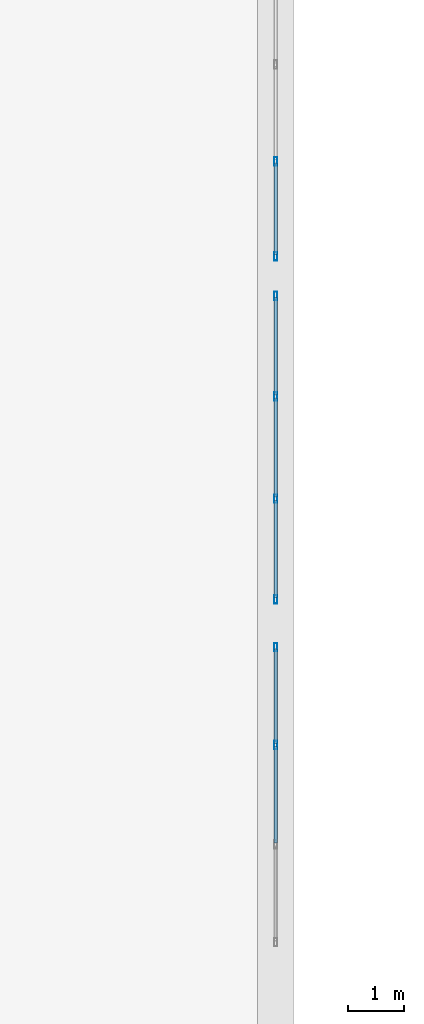
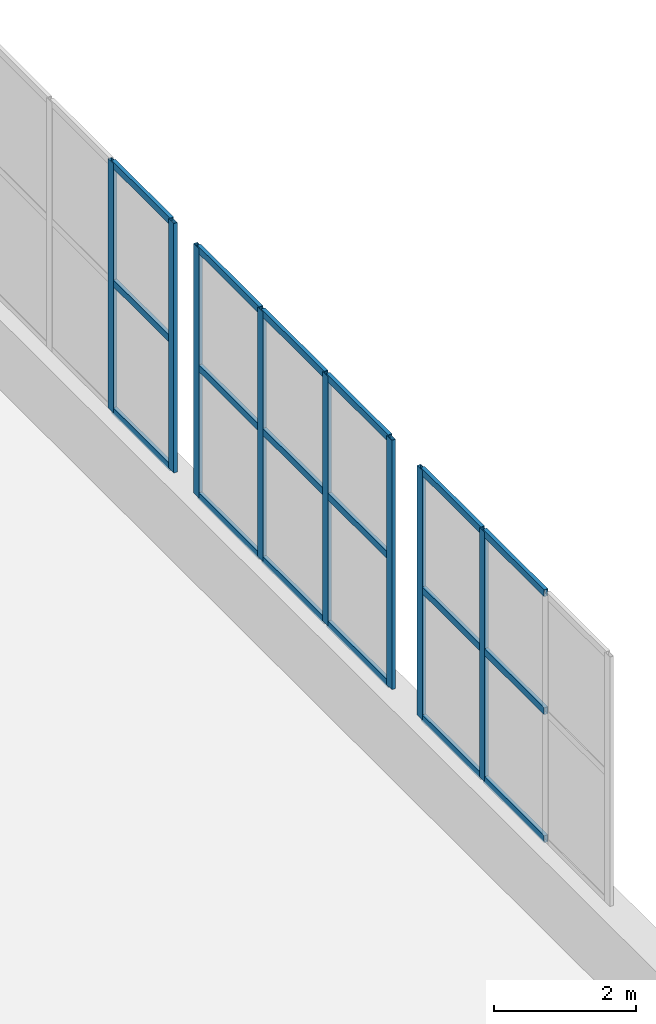
# One storey, part 90 of 139: 26 members, 3 elements without a shape of their own.
"""IFC4 building model written with IfcOpenShell, lengths in metres."""

from ifc_helpers import new_model, si_unit, direction, frame, origin, origin_2d, place, context, subcontext, project, spatial, hollow_rectangle, extrude, material, material_profile, profile_set, type_object, element, aggregate, save


model = new_model("IFC4")

# Units and contexts
model_context = context("Model", 3, precision=1e-05, world=origin(), true_north=direction((0.0, 1.0)))
body_context = subcontext(model_context, "Body", "Model", "MODEL_VIEW")
ifc_project = project(units=[si_unit("LENGTHUNIT", "METRE"), si_unit("AREAUNIT", "SQUARE_METRE"), si_unit("VOLUMEUNIT", "CUBIC_METRE"), si_unit("PLANEANGLEUNIT", "RADIAN"), si_unit("MASSUNIT", "GRAM", prefix="KILO")], contexts=[model_context])

# Site, building, storey
site_placement = place(None, origin())
site = spatial("IfcSite", under=ifc_project, at=site_placement, CompositionType="ELEMENT")
building_placement = place(site_placement, origin())
building = spatial("IfcBuilding", under=site, at=building_placement, Name="Kazenagashi Tramway Depot", CompositionType="ELEMENT")
storey_placement = place(building_placement, origin())
storey = spatial("IfcBuildingStorey", under=building, at=storey_placement, Name="L01", CompositionType="ELEMENT", Elevation=0.0)

# Curtain wall, members
ifc_material_1 = material(Name="Anodised Aluminium and Low-E Glazing", Category="aluminium")
curtain_wall_type_1 = type_object("IfcCurtainWallType", Name="CW-05", PredefinedType="USERDEFINED", material=ifc_material_1)
curtain_wall_1_placement = place(storey_placement, origin())
curtain_wall_1 = element("IfcCurtainWall", 1, at=curtain_wall_1_placement, inside=storey, type_object=curtain_wall_type_1, Name="Industrial Glazed Screen CW-05 CW-0009", ObjectType="GLAZED SCREEN", PredefinedType="USERDEFINED")
ifc_material_2 = material(Name="Anodised Aluminium", Category="aluminium")
ifc_material_profile_1 = material_profile(ifc_material_2, hollow_rectangle(XDim=0.06, YDim=0.15, WallThickness=0.004, at=origin_2d()), Name="RHS-150x60x4")
ifc_profile_set_1 = profile_set([ifc_material_profile_1], Name="Anodised Aluminium")
member_type_1 = type_object("IfcMemberType", Name="ML-01", PredefinedType="MULLION", material=ifc_profile_set_1)
member_1_placement = place(storey_placement, frame((196.0, 108.566667, 1.2), z_axis=(0.0, 0.0, 1.0), x_axis=(-1.0, 0.0, 0.0)))
member_1 = element("IfcMember", 2, at=member_1_placement, type_object=member_type_1, Name="CW-05 mullion 3", PredefinedType="MULLION", context=body_context, shape_type="SweptSolid", body=[
    extrude(hollow_rectangle(XDim=0.06, YDim=0.15, WallThickness=0.004, at=origin_2d()), origin(), (0.0, 0.0, 1.0), 4.292),
])
member_2_placement = place(storey_placement, frame((196.0, 110.32, 1.2), z_axis=(0.0, 0.0, 1.0), x_axis=(-1.0, 0.0, 0.0)))
member_2 = element("IfcMember", 3, at=member_2_placement, type_object=member_type_1, Name="CW-05 mullion 4", PredefinedType="MULLION", context=body_context, shape_type="SweptSolid", body=[
    extrude(hollow_rectangle(XDim=0.06, YDim=0.15, WallThickness=0.004, at=origin_2d()), origin(), (0.0, 0.0, 1.0), 4.292),
])

curtain_wall_type_2 = type_object("IfcCurtainWallType", Name="CW-07", PredefinedType="USERDEFINED", material=ifc_material_1)
curtain_wall_2_placement = place(storey_placement, origin())
curtain_wall_2 = element("IfcCurtainWall", 4, at=curtain_wall_2_placement, inside=storey, type_object=curtain_wall_type_2, Name="Industrial Glazed Screen CW-07 CW-0011", ObjectType="GLAZED SCREEN", PredefinedType="USERDEFINED")
member_3_placement = place(storey_placement, frame((196.0, 111.18, 1.2), z_axis=(0.0, 0.0, 1.0), x_axis=(-1.0, 0.0, 0.0)))
member_3 = element("IfcMember", 5, at=member_3_placement, type_object=member_type_1, Name="CW-07 mullion 1", PredefinedType="MULLION", context=body_context, shape_type="SweptSolid", body=[
    extrude(hollow_rectangle(XDim=0.06, YDim=0.15, WallThickness=0.004, at=origin_2d()), origin(), (0.0, 0.0, 1.0), 4.292),
])
member_4_placement = place(storey_placement, frame((196.0, 112.983333, 1.2), z_axis=(0.0, 0.0, 1.0), x_axis=(-1.0, 0.0, 0.0)))
member_4 = element("IfcMember", 6, at=member_4_placement, type_object=member_type_1, Name="CW-07 mullion 2", PredefinedType="MULLION", context=body_context, shape_type="SweptSolid", body=[
    extrude(hollow_rectangle(XDim=0.06, YDim=0.15, WallThickness=0.004, at=origin_2d()), origin(), (0.0, 0.0, 1.0), 4.292),
])
member_5_placement = place(storey_placement, frame((196.0, 114.816667, 1.2), z_axis=(0.0, 0.0, 1.0), x_axis=(-1.0, 0.0, 0.0)))
member_5 = element("IfcMember", 7, at=member_5_placement, type_object=member_type_1, Name="CW-07 mullion 3", PredefinedType="MULLION", context=body_context, shape_type="SweptSolid", body=[
    extrude(hollow_rectangle(XDim=0.06, YDim=0.15, WallThickness=0.004, at=origin_2d()), origin(), (0.0, 0.0, 1.0), 4.292),
])
member_6_placement = place(storey_placement, frame((196.0, 116.62, 1.2), z_axis=(0.0, 0.0, 1.0), x_axis=(-1.0, 0.0, 0.0)))
member_6 = element("IfcMember", 8, at=member_6_placement, type_object=member_type_1, Name="CW-07 mullion 4", PredefinedType="MULLION", context=body_context, shape_type="SweptSolid", body=[
    extrude(hollow_rectangle(XDim=0.06, YDim=0.15, WallThickness=0.004, at=origin_2d()), origin(), (0.0, 0.0, 1.0), 4.292),
])

curtain_wall_type_3 = type_object("IfcCurtainWallType", Name="CW-03", PredefinedType="USERDEFINED", material=ifc_material_1)
curtain_wall_3_placement = place(storey_placement, origin())
curtain_wall_3 = element("IfcCurtainWall", 9, at=curtain_wall_3_placement, inside=storey, type_object=curtain_wall_type_3, Name="Industrial Glazed Screen CW-03 CW-0013", ObjectType="GLAZED SCREEN", PredefinedType="USERDEFINED")
member_7_placement = place(storey_placement, frame((196.0, 117.33, 1.2), z_axis=(0.0, 0.0, 1.0), x_axis=(-1.0, 0.0, 0.0)))
member_7 = element("IfcMember", 10, at=member_7_placement, type_object=member_type_1, Name="CW-03 mullion 1", PredefinedType="MULLION", context=body_context, shape_type="SweptSolid", body=[
    extrude(hollow_rectangle(XDim=0.06, YDim=0.15, WallThickness=0.004, at=origin_2d()), origin(), (0.0, 0.0, 1.0), 4.292),
])
member_8_placement = place(storey_placement, frame((196.0, 119.033333, 1.2), z_axis=(0.0, 0.0, 1.0), x_axis=(-1.0, 0.0, 0.0)))
member_8 = element("IfcMember", 11, at=member_8_placement, type_object=member_type_1, Name="CW-03 mullion 2", PredefinedType="MULLION", context=body_context, shape_type="SweptSolid", body=[
    extrude(hollow_rectangle(XDim=0.06, YDim=0.15, WallThickness=0.004, at=origin_2d()), origin(), (0.0, 0.0, 1.0), 4.292),
])

# Member
ifc_material_profile_2 = material_profile(ifc_material_2, hollow_rectangle(XDim=0.06, YDim=0.12, WallThickness=0.004, at=origin_2d()), Name="RHS-120x60x4")
ifc_profile_set_2 = profile_set([ifc_material_profile_2], Name="Anodised Aluminium")
member_type_2 = type_object("IfcMemberType", Name="TR-01", PredefinedType="USERDEFINED", material=ifc_profile_set_2)
member_9_placement = place(storey_placement, frame((196.0, 106.813333, 1.23), z_axis=(0.0, 1.0, 0.0), x_axis=(-1.0, 0.0, 0.0)))
member_9 = element("IfcMember", 12, at=member_9_placement, type_object=member_type_2, Name="CW-05 transom 2.1", ObjectType="TRANSOM", PredefinedType="USERDEFINED", context=body_context, shape_type="SweptSolid", body=[
    extrude(hollow_rectangle(XDim=0.06, YDim=0.12, WallThickness=0.004, at=origin_2d()), origin(), (0.0, 0.0, 1.0), 1.723334),
])

member_10_placement = place(storey_placement, frame((196.0, 106.813333, 3.432), z_axis=(0.0, 1.0, 0.0), x_axis=(-1.0, 0.0, 0.0)))
member_10 = element("IfcMember", 13, at=member_10_placement, type_object=member_type_2, Name="CW-05 transom 2.2", ObjectType="TRANSOM", PredefinedType="USERDEFINED", context=body_context, shape_type="SweptSolid", body=[
    extrude(hollow_rectangle(XDim=0.06, YDim=0.12, WallThickness=0.004, at=origin_2d()), origin(), (0.0, 0.0, 1.0), 1.723334),
])

member_11_placement = place(storey_placement, frame((196.0, 106.813333, 5.462), z_axis=(0.0, 1.0, 0.0), x_axis=(-1.0, 0.0, 0.0)))
member_11 = element("IfcMember", 14, at=member_11_placement, type_object=member_type_2, Name="CW-05 transom 2.3", ObjectType="TRANSOM", PredefinedType="USERDEFINED", context=body_context, shape_type="SweptSolid", body=[
    extrude(hollow_rectangle(XDim=0.06, YDim=0.12, WallThickness=0.004, at=origin_2d()), origin(), (0.0, 0.0, 1.0), 1.723334),
])

member_12_placement = place(storey_placement, frame((196.0, 108.596667, 1.23), z_axis=(0.0, 1.0, 0.0), x_axis=(-1.0, 0.0, 0.0)))
member_12 = element("IfcMember", 15, at=member_12_placement, type_object=member_type_2, Name="CW-05 transom 3.1", ObjectType="TRANSOM", PredefinedType="USERDEFINED", context=body_context, shape_type="SweptSolid", body=[
    extrude(hollow_rectangle(XDim=0.06, YDim=0.12, WallThickness=0.004, at=origin_2d()), origin(), (0.0, 0.0, 1.0), 1.693333),
])

member_13_placement = place(storey_placement, frame((196.0, 108.596667, 3.432), z_axis=(0.0, 1.0, 0.0), x_axis=(-1.0, 0.0, 0.0)))
member_13 = element("IfcMember", 16, at=member_13_placement, type_object=member_type_2, Name="CW-05 transom 3.2", ObjectType="TRANSOM", PredefinedType="USERDEFINED", context=body_context, shape_type="SweptSolid", body=[
    extrude(hollow_rectangle(XDim=0.06, YDim=0.12, WallThickness=0.004, at=origin_2d()), origin(), (0.0, 0.0, 1.0), 1.693333),
])

member_14_placement = place(storey_placement, frame((196.0, 108.596667, 5.462), z_axis=(0.0, 1.0, 0.0), x_axis=(-1.0, 0.0, 0.0)))
member_14 = element("IfcMember", 17, at=member_14_placement, type_object=member_type_2, Name="CW-05 transom 3.3", ObjectType="TRANSOM", PredefinedType="USERDEFINED", context=body_context, shape_type="SweptSolid", body=[
    extrude(hollow_rectangle(XDim=0.06, YDim=0.12, WallThickness=0.004, at=origin_2d()), origin(), (0.0, 0.0, 1.0), 1.693333),
])

aggregate(curtain_wall_1, [member_1, member_2, member_9, member_10, member_11, member_12, member_13, member_14])

member_15_placement = place(storey_placement, frame((196.0, 111.21, 1.23), z_axis=(0.0, 1.0, 0.0), x_axis=(-1.0, 0.0, 0.0)))
member_15 = element("IfcMember", 18, at=member_15_placement, type_object=member_type_2, Name="CW-07 transom 1.1", ObjectType="TRANSOM", PredefinedType="USERDEFINED", context=body_context, shape_type="SweptSolid", body=[
    extrude(hollow_rectangle(XDim=0.06, YDim=0.12, WallThickness=0.004, at=origin_2d()), origin(), (0.0, 0.0, 1.0), 1.743333),
])

member_16_placement = place(storey_placement, frame((196.0, 111.21, 3.432), z_axis=(0.0, 1.0, 0.0), x_axis=(-1.0, 0.0, 0.0)))
member_16 = element("IfcMember", 19, at=member_16_placement, type_object=member_type_2, Name="CW-07 transom 1.2", ObjectType="TRANSOM", PredefinedType="USERDEFINED", context=body_context, shape_type="SweptSolid", body=[
    extrude(hollow_rectangle(XDim=0.06, YDim=0.12, WallThickness=0.004, at=origin_2d()), origin(), (0.0, 0.0, 1.0), 1.743333),
])

member_17_placement = place(storey_placement, frame((196.0, 111.21, 5.462), z_axis=(0.0, 1.0, 0.0), x_axis=(-1.0, 0.0, 0.0)))
member_17 = element("IfcMember", 20, at=member_17_placement, type_object=member_type_2, Name="CW-07 transom 1.3", ObjectType="TRANSOM", PredefinedType="USERDEFINED", context=body_context, shape_type="SweptSolid", body=[
    extrude(hollow_rectangle(XDim=0.06, YDim=0.12, WallThickness=0.004, at=origin_2d()), origin(), (0.0, 0.0, 1.0), 1.743333),
])

member_18_placement = place(storey_placement, frame((196.0, 113.013333, 1.23), z_axis=(0.0, 1.0, 0.0), x_axis=(-1.0, 0.0, 0.0)))
member_18 = element("IfcMember", 21, at=member_18_placement, type_object=member_type_2, Name="CW-07 transom 2.1", ObjectType="TRANSOM", PredefinedType="USERDEFINED", context=body_context, shape_type="SweptSolid", body=[
    extrude(hollow_rectangle(XDim=0.06, YDim=0.12, WallThickness=0.004, at=origin_2d()), origin(), (0.0, 0.0, 1.0), 1.773334),
])

member_19_placement = place(storey_placement, frame((196.0, 113.013333, 3.432), z_axis=(0.0, 1.0, 0.0), x_axis=(-1.0, 0.0, 0.0)))
member_19 = element("IfcMember", 22, at=member_19_placement, type_object=member_type_2, Name="CW-07 transom 2.2", ObjectType="TRANSOM", PredefinedType="USERDEFINED", context=body_context, shape_type="SweptSolid", body=[
    extrude(hollow_rectangle(XDim=0.06, YDim=0.12, WallThickness=0.004, at=origin_2d()), origin(), (0.0, 0.0, 1.0), 1.773334),
])

member_20_placement = place(storey_placement, frame((196.0, 113.013333, 5.462), z_axis=(0.0, 1.0, 0.0), x_axis=(-1.0, 0.0, 0.0)))
member_20 = element("IfcMember", 23, at=member_20_placement, type_object=member_type_2, Name="CW-07 transom 2.3", ObjectType="TRANSOM", PredefinedType="USERDEFINED", context=body_context, shape_type="SweptSolid", body=[
    extrude(hollow_rectangle(XDim=0.06, YDim=0.12, WallThickness=0.004, at=origin_2d()), origin(), (0.0, 0.0, 1.0), 1.773334),
])

member_21_placement = place(storey_placement, frame((196.0, 114.846667, 1.23), z_axis=(0.0, 1.0, 0.0), x_axis=(-1.0, 0.0, 0.0)))
member_21 = element("IfcMember", 24, at=member_21_placement, type_object=member_type_2, Name="CW-07 transom 3.1", ObjectType="TRANSOM", PredefinedType="USERDEFINED", context=body_context, shape_type="SweptSolid", body=[
    extrude(hollow_rectangle(XDim=0.06, YDim=0.12, WallThickness=0.004, at=origin_2d()), origin(), (0.0, 0.0, 1.0), 1.743333),
])

member_22_placement = place(storey_placement, frame((196.0, 114.846667, 3.432), z_axis=(0.0, 1.0, 0.0), x_axis=(-1.0, 0.0, 0.0)))
member_22 = element("IfcMember", 25, at=member_22_placement, type_object=member_type_2, Name="CW-07 transom 3.2", ObjectType="TRANSOM", PredefinedType="USERDEFINED", context=body_context, shape_type="SweptSolid", body=[
    extrude(hollow_rectangle(XDim=0.06, YDim=0.12, WallThickness=0.004, at=origin_2d()), origin(), (0.0, 0.0, 1.0), 1.743333),
])

member_23_placement = place(storey_placement, frame((196.0, 114.846667, 5.462), z_axis=(0.0, 1.0, 0.0), x_axis=(-1.0, 0.0, 0.0)))
member_23 = element("IfcMember", 26, at=member_23_placement, type_object=member_type_2, Name="CW-07 transom 3.3", ObjectType="TRANSOM", PredefinedType="USERDEFINED", context=body_context, shape_type="SweptSolid", body=[
    extrude(hollow_rectangle(XDim=0.06, YDim=0.12, WallThickness=0.004, at=origin_2d()), origin(), (0.0, 0.0, 1.0), 1.743333),
])

aggregate(curtain_wall_2, [member_3, member_4, member_5, member_6, member_15, member_16, member_17, member_18, member_19, member_20, member_21, member_22, member_23])

member_24_placement = place(storey_placement, frame((196.0, 117.36, 1.23), z_axis=(0.0, 1.0, 0.0), x_axis=(-1.0, 0.0, 0.0)))
member_24 = element("IfcMember", 27, at=member_24_placement, type_object=member_type_2, Name="CW-03 transom 1.1", ObjectType="TRANSOM", PredefinedType="USERDEFINED", context=body_context, shape_type="SweptSolid", body=[
    extrude(hollow_rectangle(XDim=0.06, YDim=0.12, WallThickness=0.004, at=origin_2d()), origin(), (0.0, 0.0, 1.0), 1.643333),
])

member_25_placement = place(storey_placement, frame((196.0, 117.36, 3.432), z_axis=(0.0, 1.0, 0.0), x_axis=(-1.0, 0.0, 0.0)))
member_25 = element("IfcMember", 28, at=member_25_placement, type_object=member_type_2, Name="CW-03 transom 1.2", ObjectType="TRANSOM", PredefinedType="USERDEFINED", context=body_context, shape_type="SweptSolid", body=[
    extrude(hollow_rectangle(XDim=0.06, YDim=0.12, WallThickness=0.004, at=origin_2d()), origin(), (0.0, 0.0, 1.0), 1.643333),
])

member_26_placement = place(storey_placement, frame((196.0, 117.36, 5.462), z_axis=(0.0, 1.0, 0.0), x_axis=(-1.0, 0.0, 0.0)))
member_26 = element("IfcMember", 29, at=member_26_placement, type_object=member_type_2, Name="CW-03 transom 1.3", ObjectType="TRANSOM", PredefinedType="USERDEFINED", context=body_context, shape_type="SweptSolid", body=[
    extrude(hollow_rectangle(XDim=0.06, YDim=0.12, WallThickness=0.004, at=origin_2d()), origin(), (0.0, 0.0, 1.0), 1.643333),
])

aggregate(curtain_wall_3, [member_7, member_8, member_24, member_25, member_26])

save(model, "model.ifc")
